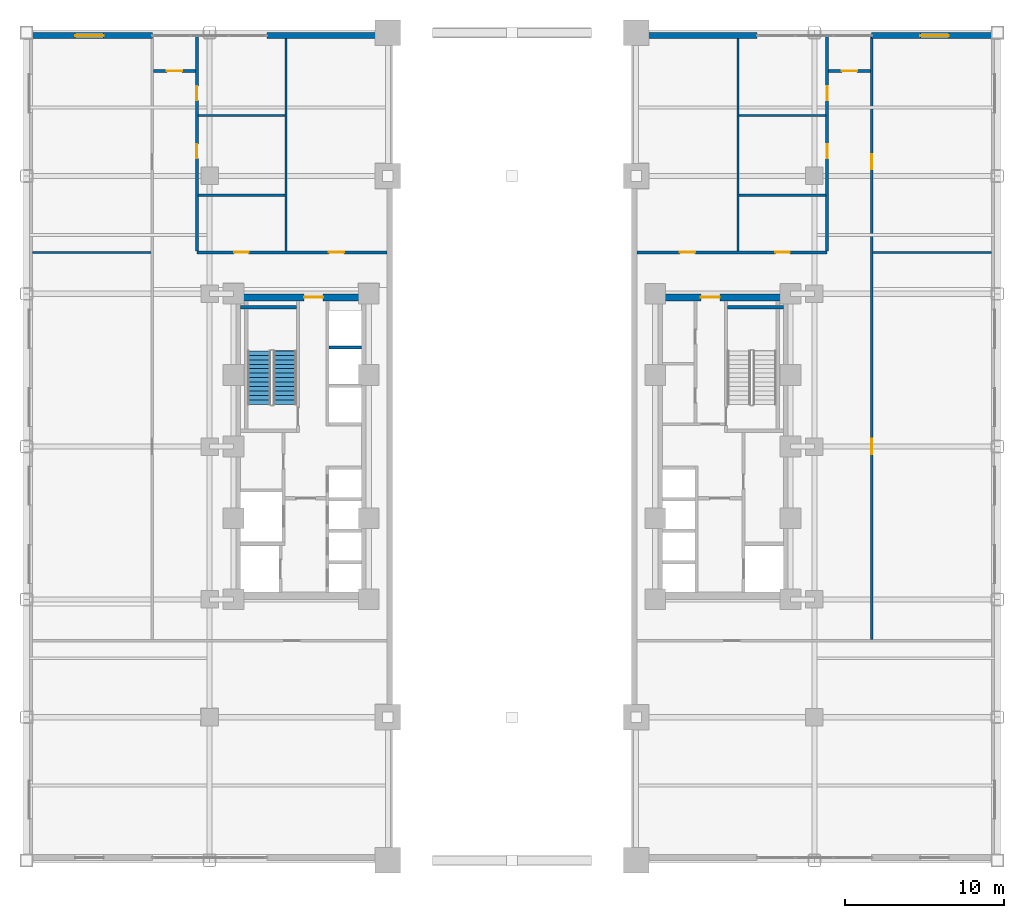
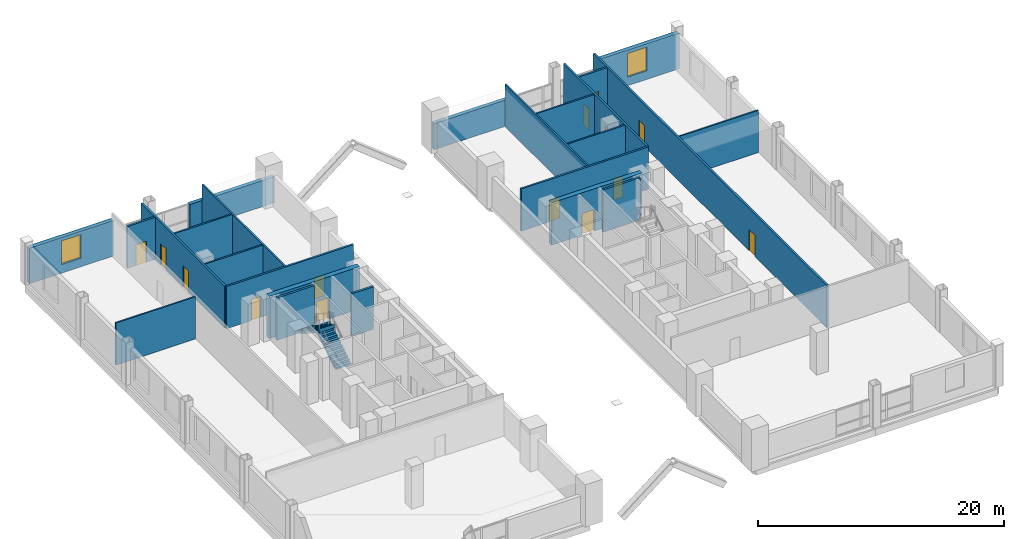
# One storey, part 5 of 14: 24 walls, 14 doors, 2 stair flights, 2 windows, 16 openings, 1 element without a shape of its own.
"""IFC4 building model written with IfcOpenShell, lengths in metres."""

from ifc_helpers import new_model, si_unit, direction, frame, frame_2d, origin, place, context, subcontext, project, spatial, polyline, rectangle, outline, extrude, source, transform, mapped, material, layer, layer_set, type_object, type_shapes, element, fill, aggregate, save


model = new_model("IFC4")

# Units and contexts
model_context = context("Model", 3, precision=1e-05, world=origin(), true_north=direction((0.0, 1.0)))
body_context = subcontext(model_context, "Body", "Model", "MODEL_VIEW")
ifc_project = project(units=[si_unit("LENGTHUNIT", "METRE"), si_unit("AREAUNIT", "SQUARE_METRE"), si_unit("VOLUMEUNIT", "CUBIC_METRE"), si_unit("PLANEANGLEUNIT", "RADIAN"), si_unit("MASSUNIT", "GRAM", prefix="KILO")], contexts=[model_context])

# Site, building, storey
site_placement = place(None, origin())
site = spatial("IfcSite", under=ifc_project, at=site_placement, CompositionType="ELEMENT")
building_placement = place(site_placement, origin())
building = spatial("IfcBuilding", under=site, at=building_placement, Name="Nuvemarco Arch Tower", CompositionType="ELEMENT")
storey_placement = place(building_placement, frame((0.0, 0.0, 13.800048828125)))
storey = spatial("IfcBuildingStorey", under=building, at=storey_placement, Name="L03", CompositionType="ELEMENT", Elevation=13.800048828125)

# Wall, opening, window
ifc_material_1 = material(Name="Precast concrete C45/55", Category="concrete")
ifc_layer_1 = layer(ifc_material_1, 0.360107421875, Name="EW-POD-360")
ifc_layer_set_1 = layer_set([ifc_layer_1], Name="Precast concrete C45/55")
wall_type_1 = type_object("IfcWallType", Name="EW-POD-360", PredefinedType="STANDARD", material=ifc_layer_set_1)
wall_1_placement = place(storey_placement, frame((-30.5, 25.820068359375, 0.0), z_axis=(0.0, 0.0, 1.0), x_axis=(1.0, 0.0, 0.0)))
wall_1 = element("IfcWall", 1, at=wall_1_placement, inside=storey, type_object=wall_type_1, Name="L03 exterior precast pier wall north left", PredefinedType="STANDARD", context=body_context, shape_type="SweptSolid", body=[
    extrude(rectangle(XDim=7.89990234375, YDim=0.360107421875, at=frame_2d((3.949951171875, 0.0))), origin(), (0.0, 0.0, 1.0), 3.534912109375),
])
opening_1_placement = place(wall_1_placement, frame((3.050048828125, 0.0, 0.85009765625)))
opening_1 = element("IfcOpeningElement", 2, at=opening_1_placement, cuts=wall_1, Name="Opening WN-2", PredefinedType="OPENING", context=body_context, shape_type="SweptSolid", body=[
    extrude(rectangle(XDim=1.800048828125, YDim=2.35009765625, at=frame_2d((0.89990234375, 1.175048828125))), frame((0.0, 0.18994140625, 0.0), z_axis=(0.0, -1.0, 0.0), x_axis=(1.0, 0.0, 0.0)), (0.0, 0.0, 1.0), 0.380126953125),
])
ifc_material_2 = material(Name="Insulated solar-control glass", Category="glass")
window_type = type_object("IfcWindowType", Name="WN-POD-1800x2350", PartitioningType="DOUBLE_PANEL_VERTICAL", PredefinedType="WINDOW", material=ifc_material_2)
shared_shape_1 = source(origin(), body_context, "Body", "SweptSolid", [
    extrude(rectangle(XDim=1.800048828125, YDim=2.35009765625, at=frame_2d((0.89990234375, 1.175048828125))), frame((0.0, 0.030029296875, 0.0), z_axis=(0.0, -1.0, 0.0), x_axis=(1.0, 0.0, 0.0)), (0.0, 0.0, 1.0), 0.06005859375),
])
type_shapes(window_type, [shared_shape_1])
window_1_placement = place(opening_1_placement, origin())
window_1 = element("IfcWindow", 3, at=window_1_placement, inside=storey, type_object=window_type, Name="L03 punched facade window 1", OverallHeight=2.35009765625, OverallWidth=1.800048828125, PartitioningType="SINGLE_PANEL", PredefinedType="WINDOW", context=body_context, shape_type="MappedRepresentation", body=[
    mapped(shared_shape_1, transform((0.0, 0.0, 0.0), scale=1.0)),
])
fill(opening_1, window_1)

# Walls
for number, where, z_axis, x_axis, name in (
    (4, (-15.39990234375, 25.820068359375, 0.0), (0.0, 0.0, 1.0), (1.0, 0.0, 0.0), "L03 exterior precast pier wall north right"),
    (5, (7.5, 25.820068359375, 0.0), (0.0, 0.0, 1.0), (1.0, 0.0, 0.0), "L03 exterior precast pier wall north left"),
):
    element("IfcWall", number, at=place(storey_placement, frame(where, z_axis=z_axis, x_axis=x_axis)), inside=storey, type_object=wall_type_1, Name=name, PredefinedType="STANDARD", context=body_context, shape_type="SweptSolid", body=[
        extrude(rectangle(XDim=7.89990234375, YDim=0.360107421875, at=frame_2d((3.949951171875, 0.0))), origin(), (0.0, 0.0, 1.0), 2.5849609375),
    ])

# Wall, opening, window
wall_2_placement = place(storey_placement, frame((22.60009765625, 25.820068359375, 0.0), z_axis=(0.0, 0.0, 1.0), x_axis=(1.0, 0.0, 0.0)))
wall_2 = element("IfcWall", 6, at=wall_2_placement, inside=storey, type_object=wall_type_1, Name="L03 exterior precast pier wall north right", PredefinedType="STANDARD", context=body_context, shape_type="SweptSolid", body=[
    extrude(rectangle(XDim=7.89990234375, YDim=0.360107421875, at=frame_2d((3.949951171875, 0.0))), origin(), (0.0, 0.0, 1.0), 3.534912109375),
])
opening_2_placement = place(wall_2_placement, frame((3.050048828125, 0.0, 0.85009765625)))
opening_2 = element("IfcOpeningElement", 7, at=opening_2_placement, cuts=wall_2, Name="Opening WN-2", PredefinedType="OPENING", context=body_context, shape_type="SweptSolid", body=[
    extrude(rectangle(XDim=1.800048828125, YDim=2.35009765625, at=frame_2d((0.89990234375, 1.175048828125))), frame((0.0, 0.18994140625, 0.0), z_axis=(0.0, -1.0, 0.0), x_axis=(1.0, 0.0, 0.0)), (0.0, 0.0, 1.0), 0.380126953125),
])
window_2_placement = place(opening_2_placement, origin())
window_2 = element("IfcWindow", 8, at=window_2_placement, inside=storey, type_object=window_type, Name="L03 punched facade window 1", OverallHeight=2.35009765625, OverallWidth=1.800048828125, PartitioningType="SINGLE_PANEL", PredefinedType="WINDOW", context=body_context, shape_type="MappedRepresentation", body=[
    mapped(shared_shape_1, transform((0.0, 0.0, 0.0), scale=1.0)),
])
fill(opening_2, window_2)

# Wall, opening, door
ifc_material_3 = material(Name="Concrete C60/75", Category="concrete")
ifc_layer_2 = layer(ifc_material_3, 0.449951171875, Name="WL-CORE-450")
ifc_layer_set_2 = layer_set([ifc_layer_2], Name="Concrete C60/75")
wall_type_2 = type_object("IfcWallType", Name="WL-CORE-450", PredefinedType="SHEAR", material=ifc_layer_set_2)
wall_3_placement = place(storey_placement, frame((-17.5, 9.375, 0.0), z_axis=(0.0, 0.0, 1.0), x_axis=(1.0, 0.0, 0.0)))
wall_3 = element("IfcWall", 9, at=wall_3_placement, inside=storey, type_object=wall_type_2, Name="L03 W-core shear wall N", PredefinedType="SHEAR", context=body_context, shape_type="SweptSolid", body=[
    extrude(rectangle(XDim=8.5, YDim=0.449951171875, at=frame_2d((4.25, 0.0))), origin(), (0.0, 0.0, 1.0), 4.199951171875),
])
opening_3_placement = place(wall_3_placement, frame((4.43994140625, 0.0, 0.0)))
opening_3 = element("IfcOpeningElement", 10, at=opening_3_placement, cuts=wall_3, Name="Opening FD-2", PredefinedType="OPENING", context=body_context, shape_type="SweptSolid", body=[
    extrude(rectangle(XDim=1.199951171875, YDim=2.14990234375, at=frame_2d((0.60009765625, 1.074951171875))), frame((0.0, 0.23486328125, 0.0), z_axis=(0.0, -1.0, 0.0), x_axis=(1.0, 0.0, 0.0)), (0.0, 0.0, 1.0), 0.469970703125),
])
ifc_material_4 = material(Name="Anodised steel fire door", Category="steel")
door_type_1 = type_object("IfcDoorType", Name="DR-FFLOB-FD", OperationType="NOTDEFINED", PredefinedType="DOOR", material=ifc_material_4)
shared_shape_2 = source(origin(), body_context, "Body", "SweptSolid", [
    extrude(rectangle(XDim=1.199951171875, YDim=2.14990234375, at=frame_2d((0.60009765625, 1.074951171875))), frame((0.0, 0.02490234375, 0.0), z_axis=(0.0, -1.0, 0.0), x_axis=(1.0, 0.0, 0.0)), (0.0, 0.0, 1.0), 0.050048828125),
])
type_shapes(door_type_1, [shared_shape_2])
door_1_placement = place(opening_3_placement, origin())
door_1 = element("IfcDoor", 11, at=door_1_placement, inside=storey, type_object=door_type_1, Name="L03 door FD-L03-WCORE-N", OperationType="SINGLE_SWING_LEFT", OverallHeight=2.14990234375, OverallWidth=1.199951171875, PredefinedType="DOOR", context=body_context, shape_type="MappedRepresentation", body=[
    mapped(shared_shape_2, transform((0.0, 0.0, 0.0), scale=1.0)),
])
fill(opening_3, door_1)

wall_4_placement = place(storey_placement, frame((9.0, 9.375, 0.0), z_axis=(0.0, 0.0, 1.0), x_axis=(1.0, 0.0, 0.0)))
wall_4 = element("IfcWall", 12, at=wall_4_placement, inside=storey, type_object=wall_type_2, Name="L03 E-core shear wall N", PredefinedType="SHEAR", context=body_context, shape_type="SweptSolid", body=[
    extrude(rectangle(XDim=8.5, YDim=0.449951171875, at=frame_2d((4.25, 0.0))), origin(), (0.0, 0.0, 1.0), 4.199951171875),
])
opening_4_placement = place(wall_4_placement, frame((2.860107421875, 0.0, 0.0)))
opening_4 = element("IfcOpeningElement", 13, at=opening_4_placement, cuts=wall_4, Name="Opening FD-2", PredefinedType="OPENING", context=body_context, shape_type="SweptSolid", body=[
    extrude(rectangle(XDim=1.199951171875, YDim=2.14990234375, at=frame_2d((0.60009765625, 1.074951171875))), frame((0.0, 0.23486328125, 0.0), z_axis=(0.0, -1.0, 0.0), x_axis=(1.0, 0.0, 0.0)), (0.0, 0.0, 1.0), 0.469970703125),
])
door_2_placement = place(opening_4_placement, origin())
door_2 = element("IfcDoor", 14, at=door_2_placement, inside=storey, type_object=door_type_1, Name="L03 door FD-L03-ECORE-N", OperationType="SINGLE_SWING_RIGHT", OverallHeight=2.14990234375, OverallWidth=1.199951171875, PredefinedType="DOOR", context=body_context, shape_type="MappedRepresentation", body=[
    mapped(shared_shape_2, transform((0.0, 0.0, 0.0), scale=1.0)),
])
fill(opening_4, door_2)

# Wall, openings, doors
ifc_material_5 = material(Name="Fire-rated gypsum drywall partition")
ifc_layer_3 = layer(ifc_material_5, 0.179931640625, Name="WL-CORR-180")
ifc_layer_set_3 = layer_set([ifc_layer_3], Name="Fire-rated gypsum drywall partition")
wall_type_3 = type_object("IfcWallType", Name="WL-CORR-180", PredefinedType="PARTITIONING", material=ifc_layer_set_3)
wall_5_placement = place(storey_placement, frame((-19.800048828125, 12.199951171875, 0.0), z_axis=(0.0, 0.0, 1.0), x_axis=(1.0, 0.0, 0.0)))
wall_5 = element("IfcWall", 15, at=wall_5_placement, inside=storey, type_object=wall_type_3, Name="L03 interior wall IW-L03-004", PredefinedType="PARTITIONING", context=body_context, shape_type="SweptSolid", body=[
    extrude(rectangle(XDim=11.93994140625, YDim=0.179931640625, at=frame_2d((5.969970703125, 0.0))), origin(), (0.0, 0.0, 1.0), 4.18994140625),
])
opening_5_placement = place(wall_5_placement, frame((8.2900390625, 0.0, 0.0)))
opening_5 = element("IfcOpeningElement", 16, at=opening_5_placement, cuts=wall_5, Name="Opening FD-5", PredefinedType="OPENING", context=body_context, shape_type="SweptSolid", body=[
    extrude(rectangle(XDim=0.9599609375, YDim=2.10009765625, at=frame_2d((0.47998046875, 1.050048828125))), frame((0.0, 0.099853515625, 0.0), z_axis=(0.0, -1.0, 0.0), x_axis=(1.0, 0.0, 0.0)), (0.0, 0.0, 1.0), 0.199951171875),
])
opening_6_placement = place(wall_5_placement, frame((2.35009765625, 0.0, 0.0)))
opening_6 = element("IfcOpeningElement", 17, at=opening_6_placement, cuts=wall_5, Name="Opening ID-3", PredefinedType="OPENING", context=body_context, shape_type="SweptSolid", body=[
    extrude(rectangle(XDim=0.89990234375, YDim=2.10009765625, at=frame_2d((0.449951171875, 1.050048828125))), frame((0.0, 0.099853515625, 0.0), z_axis=(0.0, -1.0, 0.0), x_axis=(1.0, 0.0, 0.0)), (0.0, 0.0, 1.0), 0.199951171875),
])
ifc_material_6 = material(Name="Timber fire door", Category="wood")
door_type_2 = type_object("IfcDoorType", Name="DR-CORR-FD", OperationType="NOTDEFINED", PredefinedType="DOOR", material=ifc_material_6)
shared_shape_3 = source(origin(), body_context, "Body", "SweptSolid", [
    extrude(rectangle(XDim=0.9599609375, YDim=2.10009765625, at=frame_2d((0.47998046875, 1.050048828125))), frame((0.0, 0.02490234375, 0.0), z_axis=(0.0, -1.0, 0.0), x_axis=(1.0, 0.0, 0.0)), (0.0, 0.0, 1.0), 0.050048828125),
])
type_shapes(door_type_2, [shared_shape_3])
door_3_placement = place(opening_5_placement, origin())
door_3 = element("IfcDoor", 18, at=door_3_placement, inside=storey, type_object=door_type_2, Name="L03 door DR-L03-POD_WBRD", OperationType="SINGLE_SWING_LEFT", OverallHeight=2.10009765625, OverallWidth=0.9599609375, PredefinedType="DOOR", context=body_context, shape_type="MappedRepresentation", body=[
    mapped(shared_shape_3, transform((0.0, 0.0, 0.0), scale=1.0)),
])
fill(opening_5, door_3)
ifc_material_7 = material(Name="Veneered oak timber fire door", Category="wood")
door_type_3 = type_object("IfcDoorType", Name="DR-WC-ACC", OperationType="NOTDEFINED", PredefinedType="DOOR", material=ifc_material_7)
shared_shape_4 = source(origin(), body_context, "Body", "SweptSolid", [
    extrude(rectangle(XDim=0.89990234375, YDim=2.10009765625, at=frame_2d((0.449951171875, 1.050048828125))), frame((0.0, 0.02490234375, 0.0), z_axis=(0.0, -1.0, 0.0), x_axis=(1.0, 0.0, 0.0)), (0.0, 0.0, 1.0), 0.050048828125),
])
type_shapes(door_type_3, [shared_shape_4])
door_4_placement = place(opening_6_placement, origin())
door_4 = element("IfcDoor", 19, at=door_4_placement, inside=storey, type_object=door_type_3, Name="L03 door DR-L03-POD_WWC_ACC", OperationType="SINGLE_SWING_RIGHT", OverallHeight=2.10009765625, OverallWidth=0.89990234375, PredefinedType="DOOR", context=body_context, shape_type="MappedRepresentation", body=[
    mapped(shared_shape_4, transform((0.0, 0.0, 0.0), scale=1.0)),
])
fill(opening_6, door_4)

wall_6_placement = place(storey_placement, frame((7.860107421875, 12.199951171875, 0.0), z_axis=(0.0, 0.0, 1.0), x_axis=(1.0, 0.0, 0.0)))
wall_6 = element("IfcWall", 20, at=wall_6_placement, inside=storey, type_object=wall_type_3, Name="L03 interior wall IW-L03-005", PredefinedType="PARTITIONING", context=body_context, shape_type="SweptSolid", body=[
    extrude(rectangle(XDim=11.93994140625, YDim=0.179931640625, at=frame_2d((5.969970703125, 0.0))), origin(), (0.0, 0.0, 1.0), 4.18994140625),
])
opening_7_placement = place(wall_6_placement, frame((2.68994140625, 0.0, 0.0)))
opening_7 = element("IfcOpeningElement", 21, at=opening_7_placement, cuts=wall_6, Name="Opening FD-5", PredefinedType="OPENING", context=body_context, shape_type="SweptSolid", body=[
    extrude(rectangle(XDim=0.9599609375, YDim=2.10009765625, at=frame_2d((0.47998046875, 1.050048828125))), frame((0.0, 0.099853515625, 0.0), z_axis=(0.0, -1.0, 0.0), x_axis=(1.0, 0.0, 0.0)), (0.0, 0.0, 1.0), 0.199951171875),
])
opening_8_placement = place(wall_6_placement, frame((8.68994140625, 0.0, 0.0)))
opening_8 = element("IfcOpeningElement", 22, at=opening_8_placement, cuts=wall_6, Name="Opening ID-3", PredefinedType="OPENING", context=body_context, shape_type="SweptSolid", body=[
    extrude(rectangle(XDim=0.89990234375, YDim=2.10009765625, at=frame_2d((0.449951171875, 1.050048828125))), frame((0.0, 0.099853515625, 0.0), z_axis=(0.0, -1.0, 0.0), x_axis=(1.0, 0.0, 0.0)), (0.0, 0.0, 1.0), 0.199951171875),
])
door_5_placement = place(opening_7_placement, origin())
door_5 = element("IfcDoor", 23, at=door_5_placement, inside=storey, type_object=door_type_2, Name="L03 door DR-L03-POD_EMTG", OperationType="SINGLE_SWING_LEFT", OverallHeight=2.10009765625, OverallWidth=0.9599609375, PredefinedType="DOOR", context=body_context, shape_type="MappedRepresentation", body=[
    mapped(shared_shape_3, transform((0.0, 0.0, 0.0), scale=1.0)),
])
fill(opening_7, door_5)
door_6_placement = place(opening_8_placement, origin())
door_6 = element("IfcDoor", 24, at=door_6_placement, inside=storey, type_object=door_type_3, Name="L03 door DR-L03-POD_EWC_ACC", OperationType="SINGLE_SWING_RIGHT", OverallHeight=2.10009765625, OverallWidth=0.89990234375, PredefinedType="DOOR", context=body_context, shape_type="MappedRepresentation", body=[
    mapped(shared_shape_4, transform((0.0, 0.0, 0.0), scale=1.0)),
])
fill(opening_8, door_6)

# Wall, opening, door
wall_7_placement = place(storey_placement, frame((-22.513916015625, 23.60009765625, 0.0), z_axis=(0.0, 0.0, 1.0), x_axis=(1.0, 0.0, 0.0)))
wall_7 = element("IfcWall", 25, at=wall_7_placement, inside=storey, type_object=wall_type_3, Name="L03 interior wall IW-L03-011", PredefinedType="PARTITIONING", context=body_context, shape_type="SweptSolid", body=[
    extrude(rectangle(XDim=2.6279296875, YDim=0.179931640625, at=frame_2d((1.31396484375, 0.0))), origin(), (0.0, 0.0, 1.0), 4.18994140625),
])
opening_9_placement = place(wall_7_placement, frame((0.833984375, 0.0, 0.0)))
opening_9 = element("IfcOpeningElement", 26, at=opening_9_placement, cuts=wall_7, Name="Opening FD-5", PredefinedType="OPENING", context=body_context, shape_type="SweptSolid", body=[
    extrude(rectangle(XDim=0.9599609375, YDim=2.10009765625, at=frame_2d((0.47998046875, 1.050048828125))), frame((0.0, 0.099853515625, 0.0), z_axis=(0.0, -1.0, 0.0), x_axis=(1.0, 0.0, 0.0)), (0.0, 0.0, 1.0), 0.199951171875),
])
door_7_placement = place(opening_9_placement, origin())
door_7 = element("IfcDoor", 27, at=door_7_placement, inside=storey, type_object=door_type_2, Name="L03 door DR-L03-POD_WSTORE", OperationType="SINGLE_SWING_LEFT", OverallHeight=2.10009765625, OverallWidth=0.9599609375, PredefinedType="DOOR", context=body_context, shape_type="MappedRepresentation", body=[
    mapped(shared_shape_3, transform((0.0, 0.0, 0.0), scale=1.0)),
])
fill(opening_9, door_7)

wall_8_placement = place(storey_placement, frame((19.885986328125, 23.60009765625, 0.0), z_axis=(0.0, 0.0, 1.0), x_axis=(1.0, 0.0, 0.0)))
wall_8 = element("IfcWall", 28, at=wall_8_placement, inside=storey, type_object=wall_type_3, Name="L03 interior wall IW-L03-012", PredefinedType="PARTITIONING", context=body_context, shape_type="SweptSolid", body=[
    extrude(rectangle(XDim=2.6279296875, YDim=0.179931640625, at=frame_2d((1.31396484375, 0.0))), origin(), (0.0, 0.0, 1.0), 4.18994140625),
])
opening_10_placement = place(wall_8_placement, frame((0.833984375, 0.0, 0.0)))
opening_10 = element("IfcOpeningElement", 29, at=opening_10_placement, cuts=wall_8, Name="Opening FD-5", PredefinedType="OPENING", context=body_context, shape_type="SweptSolid", body=[
    extrude(rectangle(XDim=0.9599609375, YDim=2.10009765625, at=frame_2d((0.47998046875, 1.050048828125))), frame((0.0, 0.099853515625, 0.0), z_axis=(0.0, -1.0, 0.0), x_axis=(1.0, 0.0, 0.0)), (0.0, 0.0, 1.0), 0.199951171875),
])
door_8_placement = place(opening_10_placement, origin())
door_8 = element("IfcDoor", 30, at=door_8_placement, inside=storey, type_object=door_type_2, Name="L03 door DR-L03-POD_ESTORE", OperationType="SINGLE_SWING_LEFT", OverallHeight=2.10009765625, OverallWidth=0.9599609375, PredefinedType="DOOR", context=body_context, shape_type="MappedRepresentation", body=[
    mapped(shared_shape_3, transform((0.0, 0.0, 0.0), scale=1.0)),
])
fill(opening_10, door_8)

# Wall, openings, doors
wall_9_placement = place(storey_placement, frame((-19.800048828125, 12.285888671875, 0.0), z_axis=(0.0, 0.0, 1.0), x_axis=(0.0, 1.0, 0.0)))
wall_9 = element("IfcWall", 31, at=wall_9_placement, inside=storey, type_object=wall_type_3, Name="L03 interior wall IW-L03-014", PredefinedType="PARTITIONING", context=body_context, shape_type="SweptSolid", body=[
    extrude(rectangle(XDim=13.51904296875, YDim=0.179931640625, at=frame_2d((6.759521484375, 0.0))), origin(), (0.0, 0.0, 1.0), 4.18994140625),
])
opening_11_placement = place(wall_9_placement, frame((5.81396484375, 0.0, 0.0)))
opening_11 = element("IfcOpeningElement", 32, at=opening_11_placement, cuts=wall_9, Name="Opening ID-3", PredefinedType="OPENING", context=body_context, shape_type="SweptSolid", body=[
    extrude(rectangle(XDim=0.89990234375, YDim=2.10009765625, at=frame_2d((0.449951171875, 1.050048828125))), frame((0.0, 0.099853515625, 0.0), z_axis=(0.0, -1.0, 0.0), x_axis=(1.0, 0.0, 0.0)), (0.0, 0.0, 1.0), 0.199951171875),
])
opening_12_placement = place(wall_9_placement, frame((9.464111328125, 0.0, 0.0)))
opening_12 = element("IfcOpeningElement", 33, at=opening_12_placement, cuts=wall_9, Name="Opening ID-3", PredefinedType="OPENING", context=body_context, shape_type="SweptSolid", body=[
    extrude(rectangle(XDim=0.89990234375, YDim=2.10009765625, at=frame_2d((0.449951171875, 1.050048828125))), frame((0.0, 0.099853515625, 0.0), z_axis=(0.0, -1.0, 0.0), x_axis=(1.0, 0.0, 0.0)), (0.0, 0.0, 1.0), 0.199951171875),
])
door_9_placement = place(opening_11_placement, origin())
door_9 = element("IfcDoor", 34, at=door_9_placement, inside=storey, type_object=door_type_3, Name="L03 door DR-L03-POD_WWC_M", OperationType="SINGLE_SWING_LEFT", OverallHeight=2.10009765625, OverallWidth=0.89990234375, PredefinedType="DOOR", context=body_context, shape_type="MappedRepresentation", body=[
    mapped(shared_shape_4, transform((0.0, 0.0, 0.0), scale=1.0)),
])
fill(opening_11, door_9)
door_10_placement = place(opening_12_placement, origin())
door_10 = element("IfcDoor", 35, at=door_10_placement, inside=storey, type_object=door_type_3, Name="L03 door DR-L03-POD_WWC_F", OperationType="SINGLE_SWING_RIGHT", OverallHeight=2.10009765625, OverallWidth=0.89990234375, PredefinedType="DOOR", context=body_context, shape_type="MappedRepresentation", body=[
    mapped(shared_shape_4, transform((0.0, 0.0, 0.0), scale=1.0)),
])
fill(opening_12, door_10)

wall_10_placement = place(storey_placement, frame((19.800048828125, 12.285888671875, 0.0), z_axis=(0.0, 0.0, 1.0), x_axis=(0.0, 1.0, 0.0)))
wall_10 = element("IfcWall", 36, at=wall_10_placement, inside=storey, type_object=wall_type_3, Name="L03 interior wall IW-L03-017", PredefinedType="PARTITIONING", context=body_context, shape_type="SweptSolid", body=[
    extrude(rectangle(XDim=13.51904296875, YDim=0.179931640625, at=frame_2d((6.759521484375, 0.0))), origin(), (0.0, 0.0, 1.0), 4.18994140625),
])
opening_13_placement = place(wall_10_placement, frame((5.81396484375, 0.0, 0.0)))
opening_13 = element("IfcOpeningElement", 37, at=opening_13_placement, cuts=wall_10, Name="Opening ID-3", PredefinedType="OPENING", context=body_context, shape_type="SweptSolid", body=[
    extrude(rectangle(XDim=0.89990234375, YDim=2.10009765625, at=frame_2d((0.449951171875, 1.050048828125))), frame((0.0, 0.099853515625, 0.0), z_axis=(0.0, -1.0, 0.0), x_axis=(1.0, 0.0, 0.0)), (0.0, 0.0, 1.0), 0.199951171875),
])
opening_14_placement = place(wall_10_placement, frame((9.464111328125, 0.0, 0.0)))
opening_14 = element("IfcOpeningElement", 38, at=opening_14_placement, cuts=wall_10, Name="Opening ID-3", PredefinedType="OPENING", context=body_context, shape_type="SweptSolid", body=[
    extrude(rectangle(XDim=0.89990234375, YDim=2.10009765625, at=frame_2d((0.449951171875, 1.050048828125))), frame((0.0, 0.099853515625, 0.0), z_axis=(0.0, -1.0, 0.0), x_axis=(1.0, 0.0, 0.0)), (0.0, 0.0, 1.0), 0.199951171875),
])
door_11_placement = place(opening_13_placement, origin())
door_11 = element("IfcDoor", 39, at=door_11_placement, inside=storey, type_object=door_type_3, Name="L03 door DR-L03-POD_EWC_M", OperationType="SINGLE_SWING_LEFT", OverallHeight=2.10009765625, OverallWidth=0.89990234375, PredefinedType="DOOR", context=body_context, shape_type="MappedRepresentation", body=[
    mapped(shared_shape_4, transform((0.0, 0.0, 0.0), scale=1.0)),
])
fill(opening_13, door_11)
door_12_placement = place(opening_14_placement, origin())
door_12 = element("IfcDoor", 40, at=door_12_placement, inside=storey, type_object=door_type_3, Name="L03 door DR-L03-POD_EWC_F", OperationType="SINGLE_SWING_RIGHT", OverallHeight=2.10009765625, OverallWidth=0.89990234375, PredefinedType="DOOR", context=body_context, shape_type="MappedRepresentation", body=[
    mapped(shared_shape_4, transform((0.0, 0.0, 0.0), scale=1.0)),
])
fill(opening_14, door_12)

wall_11_placement = place(storey_placement, frame((22.60009765625, -12.114013671875, 0.0), z_axis=(0.0, 0.0, 1.0), x_axis=(0.0, 1.0, 0.0)))
wall_11 = element("IfcWall", 41, at=wall_11_placement, inside=storey, type_object=wall_type_3, Name="L03 interior wall IW-L03-018", PredefinedType="PARTITIONING", context=body_context, shape_type="SweptSolid", body=[
    extrude(rectangle(XDim=37.9189453125, YDim=0.179931640625, at=frame_2d((18.95947265625, 0.0))), origin(), (0.0, 0.0, 1.0), 4.18994140625),
])
opening_15_placement = place(wall_11_placement, frame((11.634033203125, 0.0, 0.0)))
opening_15 = element("IfcOpeningElement", 42, at=opening_15_placement, cuts=wall_11, Name="Opening FD-5", PredefinedType="OPENING", context=body_context, shape_type="SweptSolid", body=[
    extrude(rectangle(XDim=0.9599609375, YDim=2.10009765625, at=frame_2d((0.47998046875, 1.050048828125))), frame((0.0, 0.099853515625, 0.0), z_axis=(0.0, -1.0, 0.0), x_axis=(1.0, 0.0, 0.0)), (0.0, 0.0, 1.0), 0.199951171875),
])
opening_16_placement = place(wall_11_placement, frame((29.533935546875, 0.0, 0.0)))
opening_16 = element("IfcOpeningElement", 43, at=opening_16_placement, cuts=wall_11, Name="Opening FD-5", PredefinedType="OPENING", context=body_context, shape_type="SweptSolid", body=[
    extrude(rectangle(XDim=0.9599609375, YDim=2.10009765625, at=frame_2d((0.47998046875, 1.050048828125))), frame((0.0, 0.099853515625, 0.0), z_axis=(0.0, -1.0, 0.0), x_axis=(1.0, 0.0, 0.0)), (0.0, 0.0, 1.0), 0.199951171875),
])
door_13_placement = place(opening_15_placement, origin())
door_13 = element("IfcDoor", 44, at=door_13_placement, inside=storey, type_object=door_type_2, Name="L03 door DR-L03-POD_EOFF", OperationType="SINGLE_SWING_RIGHT", OverallHeight=2.10009765625, OverallWidth=0.9599609375, PredefinedType="DOOR", context=body_context, shape_type="MappedRepresentation", body=[
    mapped(shared_shape_3, transform((0.0, 0.0, 0.0), scale=1.0)),
])
fill(opening_15, door_13)
door_14_placement = place(opening_16_placement, origin())
door_14 = element("IfcDoor", 45, at=door_14_placement, inside=storey, type_object=door_type_2, Name="L03 door DR-L03-POD_EBRD", OperationType="SINGLE_SWING_RIGHT", OverallHeight=2.10009765625, OverallWidth=0.9599609375, PredefinedType="DOOR", context=body_context, shape_type="MappedRepresentation", body=[
    mapped(shared_shape_3, transform((0.0, 0.0, 0.0), scale=1.0)),
])
fill(opening_16, door_14)

# Walls
ifc_material_8 = material(Name="Gypsum plasterboard partition")
ifc_layer_4 = layer(ifc_material_8, 0.139892578125, Name="WL-ROOM-140")
ifc_layer_set_4 = layer_set([ifc_layer_4], Name="Gypsum plasterboard partition")
wall_type_4 = type_object("IfcWallType", Name="WL-ROOM-140", PredefinedType="PARTITIONING", material=ifc_layer_set_4)
for number, where, z_axis, x_axis, name in (
    (46, (-30.139892578125, 12.199951171875, 0.0), (0.0, 0.0, 1.0), (1.0, 0.0, 0.0), "L03 interior wall IW-L03-003"),
    (47, (22.68603515625, 12.199951171875, 0.0), (0.0, 0.0, 1.0), (1.0, 0.0, 0.0), "L03 interior wall IW-L03-006"),
):
    element("IfcWall", number, at=place(storey_placement, frame(where, z_axis=z_axis, x_axis=x_axis)), inside=storey, type_object=wall_type_4, Name=name, PredefinedType="PARTITIONING", context=body_context, shape_type="SweptSolid", body=[
        extrude(rectangle(XDim=7.453857421875, YDim=0.139892578125, at=frame_2d((3.72705078125, 0.0))), origin(), (0.0, 0.0, 1.0), 4.18994140625),
    ])
ifc_material_9 = material(Name="Concrete C50/60", Category="concrete")
ifc_layer_5 = layer(ifc_material_9, 0.199951171875, Name="WL-SHAFT-220")
ifc_layer_set_5 = layer_set([ifc_layer_5], Name="Concrete C50/60")
wall_type_5 = type_object("IfcWallType", Name="WL-SHAFT-220", PredefinedType="SHEAR", material=ifc_layer_set_5)
wall_12_placement = place(storey_placement, frame((-17.054931640625, 8.75, 0.0), z_axis=(0.0, 0.0, 1.0), x_axis=(1.0, 0.0, 0.0)))
element("IfcWall", 48, at=wall_12_placement, inside=storey, type_object=wall_type_5, Name="L03 structural shaft wall SW-L03-W-ST1N", PredefinedType="SHEAR", context=body_context, shape_type="SweptSolid", body=[
    extrude(rectangle(XDim=3.52001953125, YDim=0.199951171875, at=frame_2d((1.760009765625, 0.0))), origin(), (0.0, 0.0, 1.0), 4.199951171875),
])
wall_13_placement = place(storey_placement, frame((-11.5048828125, 6.219970703125, 0.0), z_axis=(0.0, 0.0, 1.0), x_axis=(1.0, 0.0, 0.0)))
element("IfcWall", 49, at=wall_13_placement, inside=storey, type_object=wall_type_5, Name="L03 structural shaft wall SW-L03-W-PHD3", PredefinedType="SHEAR", context=body_context, shape_type="SweptSolid", body=[
    extrude(rectangle(XDim=2.059814453125, YDim=0.199951171875, at=frame_2d((1.02978515625, 0.0))), origin(), (0.0, 0.0, 1.0), 4.199951171875),
])
wall_14_placement = place(storey_placement, frame((13.534912109375, 8.75, 0.0), z_axis=(0.0, 0.0, 1.0), x_axis=(1.0, 0.0, 0.0)))
element("IfcWall", 50, at=wall_14_placement, inside=storey, type_object=wall_type_5, Name="L03 structural shaft wall SW-L03-E-ST2N", PredefinedType="SHEAR", context=body_context, shape_type="SweptSolid", body=[
    extrude(rectangle(XDim=3.52001953125, YDim=0.199951171875, at=frame_2d((1.760009765625, 0.0))), origin(), (0.0, 0.0, 1.0), 4.199951171875),
])
ifc_material_10 = material(Name="Moisture-resistant gypsum partition")
ifc_layer_6 = layer(ifc_material_10, 0.14990234375, Name="WL-WET-150")
ifc_layer_set_6 = layer_set([ifc_layer_6], Name="Moisture-resistant gypsum partition")
wall_type_6 = type_object("IfcWallType", Name="WL-WET-150", PredefinedType="PARTITIONING", material=ifc_layer_set_6)
for number, where, z_axis, x_axis, name in (
    (51, (-19.714111328125, 15.800048828125, 0.0), (0.0, 0.0, 1.0), (1.0, 0.0, 0.0), "L03 interior wall IW-L03-007"),
    (52, (14.27099609375, 15.800048828125, 0.0), (0.0, 0.0, 1.0), (1.0, 0.0, 0.0), "L03 interior wall IW-L03-008"),
    (53, (-19.714111328125, 20.800048828125, 0.0), (0.0, 0.0, 1.0), (1.0, 0.0, 0.0), "L03 interior wall IW-L03-009"),
    (54, (14.27099609375, 20.800048828125, 0.0), (0.0, 0.0, 1.0), (1.0, 0.0, 0.0), "L03 interior wall IW-L03-010"),
):
    element("IfcWall", number, at=place(storey_placement, frame(where, z_axis=z_axis, x_axis=x_axis)), inside=storey, type_object=wall_type_6, Name=name, PredefinedType="PARTITIONING", context=body_context, shape_type="SweptSolid", body=[
        extrude(rectangle(XDim=5.443115234375, YDim=0.14990234375, at=frame_2d((2.7216796875, 0.0))), origin(), (0.0, 0.0, 1.0), 4.18994140625),
    ])
for number, where, z_axis, x_axis, name in (
    (55, (-14.199951171875, 12.285888671875, 0.0), (0.0, 0.0, 1.0), (0.0, 1.0, 0.0), "L03 interior wall IW-L03-015"),
    (56, (14.199951171875, 12.285888671875, 0.0), (0.0, 0.0, 1.0), (0.0, 1.0, 0.0), "L03 interior wall IW-L03-016"),
):
    element("IfcWall", number, at=place(storey_placement, frame(where, z_axis=z_axis, x_axis=x_axis)), inside=storey, type_object=wall_type_6, Name=name, PredefinedType="PARTITIONING", context=body_context, shape_type="SweptSolid", body=[
        extrude(rectangle(XDim=13.35400390625, YDim=0.14990234375, at=frame_2d((6.677001953125, 0.0))), origin(), (0.0, 0.0, 1.0), 4.18994140625),
    ])

# Stair, stair flights
stair_type = type_object("IfcStairType", Name="ST-CORE-26R", PredefinedType="HALF_TURN_STAIR", material=ifc_material_1)
stair_placement = place(storey_placement, origin())
stair = element("IfcStair", 57, at=stair_placement, inside=storey, type_object=stair_type, Name="L03 Protected Exit Stair ST-1", PredefinedType="HALF_TURN_STAIR")
stair_flight_type = type_object("IfcStairFlightType", Name="SF-CORE-26R", PredefinedType="STRAIGHT", material=ifc_material_1)
stair_flight_1_placement = place(storey_placement, frame((-14.264892578125, 2.64990234375, 0.0), z_axis=(0.0, 0.0, 1.0), x_axis=(0.0, 1.0, 0.0)))
stair_flight_1 = element("IfcStairFlight", 58, at=stair_flight_1_placement, type_object=stair_flight_type, Name="ST-26R flight 1", NumberOfRisers=13, NumberOfTreads=12, PredefinedType="STRAIGHT", RiserHeight=0.176923077, TreadLength=0.28, context=body_context, shape_type="SweptSolid", body=[
    extrude(outline(polyline([(0.0, 0.0), (0.0, 0.177001953125), (0.280029296875, 0.177001953125), (0.280029296875, 0.353759765625), (0.56005859375, 0.353759765625), (0.56005859375, 0.53076171875), (0.840087890625, 0.53076171875), (0.840087890625, 0.707763671875), (1.1201171875, 0.707763671875), (1.1201171875, 0.884521484375), (1.39990234375, 0.884521484375), (1.39990234375, 1.0615234375), (1.679931640625, 1.0615234375), (1.679931640625, 1.238525390625), (1.9599609375, 1.238525390625), (1.9599609375, 1.415283203125), (2.239990234375, 1.415283203125), (2.239990234375, 1.59228515625), (2.52001953125, 1.59228515625), (2.52001953125, 1.769287109375), (2.800048828125, 1.769287109375), (2.800048828125, 1.946044921875), (3.080078125, 1.946044921875), (3.080078125, 2.123046875), (3.360107421875, 2.123046875), (3.360107421875, 2.300048828125), (3.3798828125, 2.300048828125), (3.3798828125, 1.933837890625), (0.3193359375, 0.0), (0.0, 0.0)])), frame((0.0, 0.72509765625, 0.0), z_axis=(0.0, -1.0, 0.0), x_axis=(1.0, 0.0, 0.0)), (0.0, 0.0, 1.0), 1.449951171875),
])
stair_flight_2_placement = place(storey_placement, frame((-15.875, 6.010009765625, 2.300048828125), z_axis=(0.0, 0.0, 1.0), x_axis=(0.0, -1.0, 0.0)))
stair_flight_2 = element("IfcStairFlight", 59, at=stair_flight_2_placement, type_object=stair_flight_type, Name="ST-26R flight 2", NumberOfRisers=13, NumberOfTreads=12, PredefinedType="STRAIGHT", RiserHeight=0.176923077, TreadLength=0.28, context=body_context, shape_type="SweptSolid", body=[
    extrude(outline(polyline([(0.0, 0.0), (0.0, 0.177001953125), (0.280029296875, 0.177001953125), (0.280029296875, 0.353759765625), (0.56005859375, 0.353759765625), (0.56005859375, 0.53076171875), (0.840087890625, 0.53076171875), (0.840087890625, 0.707763671875), (1.1201171875, 0.707763671875), (1.1201171875, 0.884521484375), (1.39990234375, 0.884521484375), (1.39990234375, 1.0615234375), (1.679931640625, 1.0615234375), (1.679931640625, 1.238525390625), (1.9599609375, 1.238525390625), (1.9599609375, 1.415283203125), (2.239990234375, 1.415283203125), (2.239990234375, 1.59228515625), (2.52001953125, 1.59228515625), (2.52001953125, 1.769287109375), (2.800048828125, 1.769287109375), (2.800048828125, 1.946044921875), (3.080078125, 1.946044921875), (3.080078125, 2.123046875), (3.360107421875, 2.123046875), (3.360107421875, 2.300048828125), (3.3798828125, 2.300048828125), (3.3798828125, 1.933837890625), (0.3193359375, 0.0), (0.0, 0.0)])), frame((0.0, 0.72509765625, 0.0), z_axis=(0.0, -1.0, 0.0), x_axis=(1.0, 0.0, 0.0)), (0.0, 0.0, 1.0), 1.449951171875),
])
aggregate(stair, [stair_flight_1, stair_flight_2])

save(model, "model.ifc")
